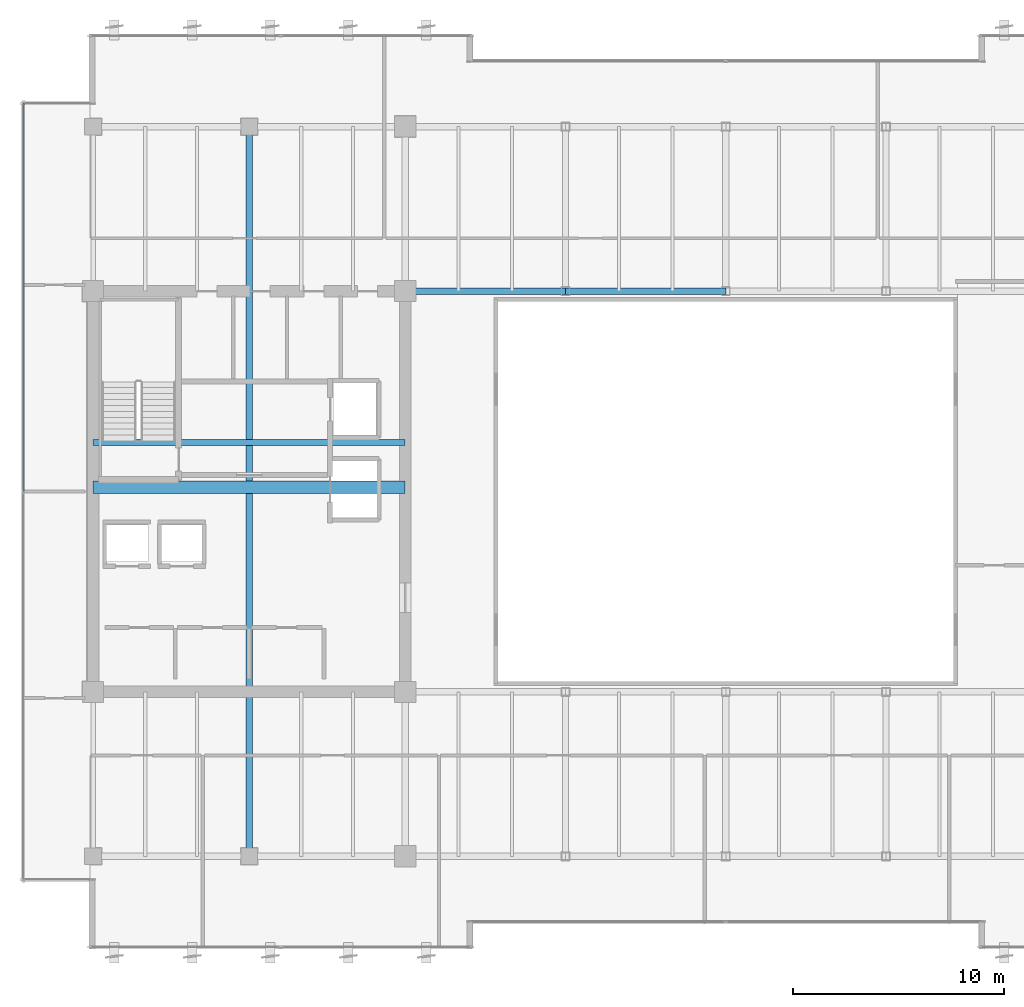
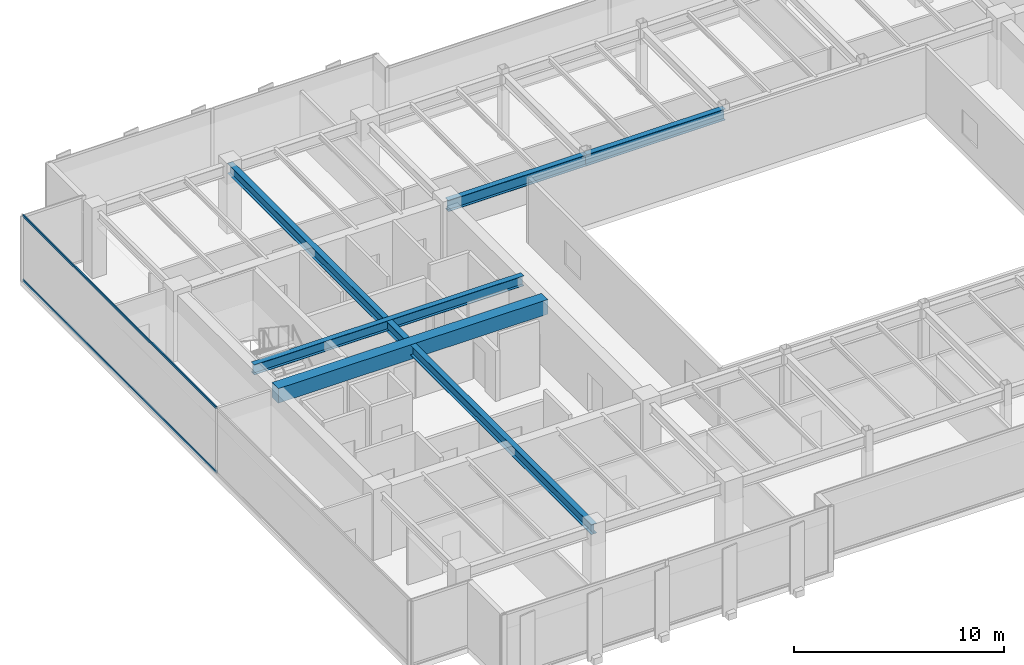
# One storey, part 10 of 36: 5 beams, 2 members, 1 element without a shape of its own.
"""IFC4 building model written with IfcOpenShell, lengths in metres."""

import ifcopenshell
import ifcopenshell.guid

model = None  # the IFC model being written
_history = None  # IfcOwnerHistory: only IFC2X3 demands one
_inside = {}  # id of a spatial element -> (the spatial element, [elements in it])
_under = {}  # id of a project, library or spatial element -> (it, [spatial elements below it])
_declared = {}  # id of a project -> (the project, [libraries it declares])
_typed = {}  # id of a type object -> (the type object, [elements of that type])
_made_of = {}  # id of a material, layer set ... -> (it, [elements and type objects made of it])


def new_model(schema):
    """Start an empty IFC model of exactly this schema.

    Asked for "IFC4X3", IfcOpenShell would pick the latest addendum, in which some entities
    have other attributes; the version numbers below select the first issue.
    IFC2X3 requires an IfcOwnerHistory on every rooted entity: one is made here for all.
    """
    global model, _history
    if schema == "IFC4X3":
        model = ifcopenshell.file(schema_version=(4, 3, 0, 0))
    else:
        model = ifcopenshell.file(schema=schema)
    _inside.clear()
    _under.clear()
    _declared.clear()
    _typed.clear()
    _made_of.clear()
    _history = None
    if model.schema == "IFC2X3":
        org = make("IfcOrganization", Name="unknown")
        user = make(
            "IfcPersonAndOrganization",
            ThePerson=make("IfcPerson", FamilyName="unknown"),
            TheOrganization=org,
        )
        app = make(
            "IfcApplication",
            ApplicationDeveloper=org,
            Version="unknown",
            ApplicationFullName="unknown",
            ApplicationIdentifier="unknown",
        )
        _history = make(
            "IfcOwnerHistory",
            OwningUser=user,
            OwningApplication=app,
            ChangeAction="ADDED",
            CreationDate=0,
        )
    return model


def make(cls, **values):
    """One entity of the class cls with the attributes given. An attribute that is None is left unset."""
    return model.create_entity(
        cls, **{name: value for name, value in values.items() if value is not None}
    )


def rooted(cls, **values):
    """An entity with a GlobalId (a new one), such as an element, a storey or a relation."""
    return make(cls, GlobalId=ifcopenshell.guid.new(), OwnerHistory=_history, **values)


def si_unit(unit_type, name, prefix=None):
    """IfcSIUnit, for example si_unit("LENGTHUNIT", "METRE", prefix="MILLI")."""
    return make("IfcSIUnit", UnitType=unit_type, Prefix=prefix, Name=name)


def assignment(units):
    """IfcUnitAssignment: the units of a project."""
    return None if units is None else make("IfcUnitAssignment", Units=units)


def point(xyz):
    """IfcCartesianPoint."""
    return None if xyz is None else make("IfcCartesianPoint", Coordinates=xyz)


def direction(xyz):
    """IfcDirection."""
    return None if xyz is None else make("IfcDirection", DirectionRatios=xyz)


def frame(location, z_axis=None, x_axis=None):
    """IfcAxis2Placement3D, a coordinate frame: its origin and axes. An axis left out is left unset."""
    return make(
        "IfcAxis2Placement3D",
        Location=point(location),
        Axis=direction(z_axis),
        RefDirection=direction(x_axis),
    )


def frame_2d(location, x_axis=None):
    """IfcAxis2Placement2D, a coordinate frame in the plane: its origin and x axis."""
    return make(
        "IfcAxis2Placement2D", Location=point(location), RefDirection=direction(x_axis)
    )


def origin():
    """The frame at (0, 0, 0) with its axes left unset."""
    return frame((0.0, 0.0, 0.0))


def origin_2d():
    """The frame at (0, 0) in the plane with its x axis left unset."""
    return frame_2d((0.0, 0.0))


def place(relative_to, where):
    """IfcLocalPlacement: puts the frame where relative to a parent placement (None: the world)."""
    return make(
        "IfcLocalPlacement", PlacementRelTo=relative_to, RelativePlacement=where
    )


def context(
    kind, dimensions, precision=None, world=None, true_north=None, identifier=None
):
    """IfcGeometricRepresentationContext, for example the 3D "Model" context."""
    return make(
        "IfcGeometricRepresentationContext",
        ContextIdentifier=identifier,
        ContextType=kind,
        CoordinateSpaceDimension=dimensions,
        Precision=precision,
        WorldCoordinateSystem=world,
        TrueNorth=true_north,
    )


def subcontext(parent, identifier, kind, view, scale=None):
    """IfcGeometricRepresentationSubContext, for example "Body" below "Model"."""
    return make(
        "IfcGeometricRepresentationSubContext",
        ContextIdentifier=identifier,
        ContextType=kind,
        ParentContext=parent,
        TargetScale=scale,
        TargetView=view,
    )


def project(units=None, contexts=None):
    """IfcProject with its units and contexts."""
    return rooted(
        "IfcProject",
        Name="project",
        RepresentationContexts=contexts,
        UnitsInContext=assignment(units),
    )


def spatial(cls, under=None, at=None, **own):
    """A site, building, storey or space (cls), placed at a placement, below another one or the project."""
    s = rooted(cls, ObjectPlacement=at, **own)
    if under is not None:
        _under.setdefault(under.id(), (under, []))[1].append(s)
    return s


def profile(cls, at=None, kind="AREA", **sizes):
    """A parametric profile (cls). Its sizes go by their IFC names, for example OverallWidth=200.0."""
    return make(cls, ProfileType=kind, Position=at, **sizes)


def rectangle(**sizes):
    """IfcRectangleProfileDef."""
    return profile("IfcRectangleProfileDef", **sizes)


def hollow_rectangle(**sizes):
    """IfcRectangleHollowProfileDef."""
    return profile("IfcRectangleHollowProfileDef", **sizes)


def i_section(**sizes):
    """IfcIShapeProfileDef."""
    return profile("IfcIShapeProfileDef", **sizes)


def extrude(swept, where, along, depth):
    """IfcExtrudedAreaSolid: the profile swept, set in the frame where, extruded along a direction by depth."""
    return make(
        "IfcExtrudedAreaSolid",
        SweptArea=swept,
        Position=where,
        ExtrudedDirection=direction(along),
        Depth=depth,
    )


def shape(context_of_items, identifier, shape_type, items):
    """IfcShapeRepresentation: the items that make up one representation, for example the "Body"."""
    return make(
        "IfcShapeRepresentation",
        ContextOfItems=context_of_items,
        RepresentationIdentifier=identifier,
        RepresentationType=shape_type,
        Items=items,
    )


def source(mapping_origin, context_of_items, identifier, shape_type, items):
    """IfcRepresentationMap: a shape defined once, which mapped items show again and again."""
    return make(
        "IfcRepresentationMap",
        MappingOrigin=mapping_origin,
        MappedRepresentation=shape(context_of_items, identifier, shape_type, items),
    )


def transform(
    local_origin,
    x_axis=None,
    y_axis=None,
    z_axis=None,
    scale=None,
    scale2=None,
    scale3=None,
    uniform=True,
):
    """IfcCartesianTransformationOperator3D, or its non-uniform kind. x_axis, y_axis, z_axis: its Axis1, 2, 3."""
    if uniform:
        return make(
            "IfcCartesianTransformationOperator3D",
            Axis1=direction(x_axis),
            Axis2=direction(y_axis),
            LocalOrigin=point(local_origin),
            Scale=scale,
            Axis3=direction(z_axis),
        )
    return make(
        "IfcCartesianTransformationOperator3DnonUniform",
        Axis1=direction(x_axis),
        Axis2=direction(y_axis),
        LocalOrigin=point(local_origin),
        Scale=scale,
        Axis3=direction(z_axis),
        Scale2=scale2,
        Scale3=scale3,
    )


def mapped(mapping_source, mapping_target):
    """IfcMappedItem: shows the shape of a source again, moved by a transform."""
    return make(
        "IfcMappedItem", MappingSource=mapping_source, MappingTarget=mapping_target
    )


def material(Name=None, Category=None):
    """IfcMaterial."""
    return make("IfcMaterial", Name=Name, Category=Category)


def layer(
    of_material, thickness, ventilated=None, Name=None, Category=None, Priority=None
):
    """IfcMaterialLayer: one layer of a wall or slab, of a material (None: an air gap)."""
    return make(
        "IfcMaterialLayer",
        Material=of_material,
        LayerThickness=thickness,
        IsVentilated=ventilated,
        Name=Name,
        Category=Category,
        Priority=Priority,
    )


def layer_set(layers, Name=None):
    """IfcMaterialLayerSet."""
    return make("IfcMaterialLayerSet", MaterialLayers=layers, LayerSetName=Name)


def material_profile(
    of_material, cross_section, Name=None, Category=None, Priority=None
):
    """IfcMaterialProfile: a cross section and its material."""
    return make(
        "IfcMaterialProfile",
        Name=Name,
        Material=of_material,
        Profile=cross_section,
        Priority=Priority,
        Category=Category,
    )


def profile_set(profiles, Name=None, composite=None):
    """IfcMaterialProfileSet."""
    return make(
        "IfcMaterialProfileSet",
        Name=Name,
        MaterialProfiles=profiles,
        CompositeProfile=composite,
    )


def made_of(thing, what):
    """Note that an element or type object is made of a material, layer set ...; save() writes the relation."""
    if what is not None:
        _made_of.setdefault(what.id(), (what, []))[1].append(thing)
    return thing


def type_object(cls, material=None, **own):
    """A type object (cls), such as IfcWallType, which elements share."""
    return made_of(rooted(cls, **own), material)


def type_shapes(of_type, sources):
    """Give a type object the sources (RepresentationMaps) that its elements show as mapped items."""
    of_type.RepresentationMaps = sources


def element(
    cls,
    number,
    at=None,
    inside=None,
    cuts=None,
    type_object=None,
    material=None,
    context=None,
    identifier="Body",
    shape_type=None,
    held_by="IfcProductDefinitionShape",
    body=None,
    shapes=None,
    **own,
):
    """One element of the class cls, such as IfcWall. Its Tag is "e" and its number.

    at: its placement. inside: the storey or other place that contains it. cuts: it is an
    opening in that element (IfcRelVoidsElement). A single representation is given by context,
    identifier, shape_type and body (its items); several are given by shapes. held_by: the class
    of the entity that holds the representations. save() writes the other relations.
    """
    e = rooted(cls, Tag="e%d" % number, ObjectPlacement=at, **own)
    if body is not None:
        shapes = [shape(context, identifier, shape_type, body)]
    if shapes is not None:
        e.Representation = make(held_by, Representations=shapes)
    if inside is not None:
        _inside.setdefault(inside.id(), (inside, []))[1].append(e)
    if cuts is not None:
        rooted(
            "IfcRelVoidsElement", RelatingBuildingElement=cuts, RelatedOpeningElement=e
        )
    if type_object is not None:
        _typed.setdefault(type_object.id(), (type_object, []))[1].append(e)
    return made_of(e, material)


def aggregate(whole, parts):
    """IfcRelAggregates: a whole, such as a stair, and the parts it consists of."""
    return rooted("IfcRelAggregates", RelatingObject=whole, RelatedObjects=parts)


def save(model, path):
    """Write the relations noted so far, then the file.

    IfcRelAggregates (storeys below a building ...), IfcRelContainedInSpatialStructure (elements
    in a storey), IfcRelDefinesByType, IfcRelAssociatesMaterial and IfcRelDeclares: one each for
    every whole, place, type object, material and project.
    """
    for whole, parts in _under.values():
        aggregate(whole, parts)
    for where, things in _inside.values():
        rooted(
            "IfcRelContainedInSpatialStructure",
            RelatedElements=things,
            RelatingStructure=where,
        )
    for kind, things in _typed.values():
        rooted("IfcRelDefinesByType", RelatedObjects=things, RelatingType=kind)
    for what, things in _made_of.values():
        rooted("IfcRelAssociatesMaterial", RelatedObjects=things, RelatingMaterial=what)
    for by, libraries in _declared.values():
        rooted("IfcRelDeclares", RelatingContext=by, RelatedDefinitions=libraries)
    model.write(path)


model = new_model("IFC4")

# Units and contexts
model_context = context("Model", 3, precision=1e-05, world=origin(), true_north=direction((0.0, 1.0)))
body_context = subcontext(model_context, "Body", "Model", "MODEL_VIEW")
ifc_project = project(units=[si_unit("LENGTHUNIT", "METRE"), si_unit("AREAUNIT", "SQUARE_METRE"), si_unit("VOLUMEUNIT", "CUBIC_METRE"), si_unit("PLANEANGLEUNIT", "RADIAN"), si_unit("MASSUNIT", "GRAM", prefix="KILO")], contexts=[model_context])

# Site, building, storey
site_placement = place(None, origin())
site = spatial("IfcSite", under=ifc_project, at=site_placement, CompositionType="ELEMENT")
building_placement = place(site_placement, origin())
building = spatial("IfcBuilding", under=site, at=building_placement, Name="Haelvirn Gate Laboratories", CompositionType="ELEMENT")
storey_placement = place(building_placement, frame((0.0, 0.0, 242.39990234375)))
storey = spatial("IfcBuildingStorey", under=building, at=storey_placement, Name="L58", CompositionType="ELEMENT", Elevation=242.39990234375)

# Beams
ifc_material_1 = material(Name="Steel SM355", Category="steel")
ifc_material_profile_1 = material_profile(ifc_material_1, i_section(OverallWidth=0.300048828125, OverallDepth=0.587890625, WebThickness=0.011962890625, FlangeThickness=0.02001953125, at=origin_2d()), Name="H-588x300x12x20")
ifc_profile_set_1 = profile_set([ifc_material_profile_1], Name="Steel SM355")
beam_type_1 = type_object("IfcBeamType", Name="BM-G-588", PredefinedType="BEAM", material=ifc_profile_set_1)
shared_shape_1 = source(origin(), body_context, "Body", "SweptSolid", [
    extrude(i_section(OverallWidth=0.300048828125, OverallDepth=0.587890625, WebThickness=0.011962890625, FlangeThickness=0.02001953125, at=origin_2d()), origin(), (0.0, 0.0, 1.0), 14.800048828125),
])
beam_1_placement = place(storey_placement, frame((7.39990234375, 26.6201171875, 3.506103515625), z_axis=(1.0, 0.0, 0.0), x_axis=(0.0, 1.0, 0.0)))
element("IfcBeam", 1, at=beam_1_placement, inside=storey, type_object=beam_type_1, Name="L58 Stair ST1 Landing Header", PredefinedType="BEAM", context=body_context, shape_type="MappedRepresentation", body=[
    mapped(shared_shape_1, transform((0.0, 0.0, 0.0), scale=1.0)),
])
shared_shape_2 = source(origin(), body_context, "Body", "SweptSolid", [
    extrude(i_section(OverallWidth=0.300048828125, OverallDepth=0.587890625, WebThickness=0.011962890625, FlangeThickness=0.02001953125, at=origin_2d()), origin(), (0.0, 0.0, 1.0), 34.60009765625),
])
type_shapes(beam_type_1, [shared_shape_1, shared_shape_2])
beam_2_placement = place(storey_placement, frame((14.800048828125, 7.0, 3.506103515625), z_axis=(0.0, 1.0, 0.0), x_axis=(-1.0, 0.0, 0.0)))
element("IfcBeam", 2, at=beam_2_placement, inside=storey, type_object=beam_type_1, Name="L58 Frame Girder X14.8 (7.0-41.6)", PredefinedType="BEAM", context=body_context, shape_type="MappedRepresentation", body=[
    mapped(shared_shape_2, transform((0.0, 0.0, 0.0), scale=1.0)),
])
ifc_material_2 = material(Name="Concrete C50/60", Category="concrete")
ifc_material_profile_2 = material_profile(ifc_material_2, rectangle(XDim=0.60009765625, YDim=0.85009765625, at=origin_2d()), Name="RCB-600x850")
ifc_profile_set_2 = profile_set([ifc_material_profile_2], Name="Concrete C50/60")
beam_type_2 = type_object("IfcBeamType", Name="BM-RCB-850", PredefinedType="LINTEL", material=ifc_profile_set_2)
shared_shape_3 = source(origin(), body_context, "Body", "SweptSolid", [
    extrude(rectangle(XDim=0.60009765625, YDim=0.85009765625, at=origin_2d()), origin(), (0.0, 0.0, 1.0), 14.800048828125),
])
type_shapes(beam_type_2, [shared_shape_3])
beam_3_placement = place(storey_placement, frame((7.39990234375, 24.5, 3.375), z_axis=(1.0, 0.0, 0.0), x_axis=(0.0, 1.0, 0.0)))
element("IfcBeam", 3, at=beam_3_placement, inside=storey, type_object=beam_type_2, Name="L58 West Core Coupling Beam", PredefinedType="LINTEL", context=body_context, shape_type="MappedRepresentation", body=[
    mapped(shared_shape_3, transform((0.0, 0.0, 0.0), scale=1.0)),
])
ifc_material_profile_3 = material_profile(ifc_material_1, i_section(OverallWidth=0.300048828125, OverallDepth=0.64990234375, WebThickness=0.012939453125, FlangeThickness=0.02197265625, at=origin_2d()), Name="H-650x300x13x22")
ifc_profile_set_3 = profile_set([ifc_material_profile_3], Name="Steel SM355")
beam_type_3 = type_object("IfcBeamType", Name="BM-G-650", PredefinedType="BEAM", material=ifc_profile_set_3)
shared_shape_4 = source(origin(), body_context, "Body", "SweptSolid", [
    extrude(i_section(OverallWidth=0.300048828125, OverallDepth=0.64990234375, WebThickness=0.012939453125, FlangeThickness=0.02197265625, at=origin_2d()), origin(), (0.0, 0.0, 1.0), 7.60009765625),
])
beam_4_placement = place(storey_placement, frame((22.199951171875, 33.800048828125, 3.47509765625), z_axis=(1.0, 0.0, 0.0), x_axis=(0.0, 1.0, 0.0)))
element("IfcBeam", 4, at=beam_4_placement, inside=storey, type_object=beam_type_3, Name="L58 Primary Girder Y33.8 (22.2-29.8)", PredefinedType="BEAM", context=body_context, shape_type="MappedRepresentation", body=[
    mapped(shared_shape_4, transform((0.0, 0.0, 0.0), scale=1.0)),
])
shared_shape_5 = source(origin(), body_context, "Body", "SweptSolid", [
    extrude(i_section(OverallWidth=0.300048828125, OverallDepth=0.64990234375, WebThickness=0.012939453125, FlangeThickness=0.02197265625, at=origin_2d()), origin(), (0.0, 0.0, 1.0), 7.599853515625),
])
type_shapes(beam_type_3, [shared_shape_4, shared_shape_5])
beam_5_placement = place(storey_placement, frame((29.800048828125, 33.800048828125, 3.47509765625), z_axis=(1.0, 0.0, 0.0), x_axis=(0.0, 1.0, 0.0)))
element("IfcBeam", 5, at=beam_5_placement, inside=storey, type_object=beam_type_3, Name="L58 Primary Girder Y33.8 (29.8-37.4)", PredefinedType="BEAM", context=body_context, shape_type="MappedRepresentation", body=[
    mapped(shared_shape_5, transform((0.0, 0.0, 0.0), scale=1.0)),
])

# Curtain wall, members
ifc_material_3 = material(Name="Anodised bronze unitised aluminium & triple low-E glass", Category="aluminium")
ifc_layer = layer(ifc_material_3, 0.176025390625, Name="CW-SYS-4")
ifc_layer_set = layer_set([ifc_layer], Name="Anodised bronze unitised aluminium & triple low-E glass")
curtain_wall_type = type_object("IfcCurtainWallType", Name="CW-SYS-4", PredefinedType="NOTDEFINED", material=ifc_layer_set)
curtain_wall_placement = place(storey_placement, origin())
curtain_wall = element("IfcCurtainWall", 6, at=curtain_wall_placement, inside=storey, type_object=curtain_wall_type, Name="L58 Unitised Curtain Wall CW-L58-P0-E17", PredefinedType="NOTDEFINED")
ifc_material_4 = material(Name="Extruded aluminium 6063-T6 (anodised bronze)", Category="aluminium")
ifc_material_profile_4 = material_profile(ifc_material_4, hollow_rectangle(XDim=0.06494140625, YDim=0.139892578125, WallThickness=0.00390625, at=origin_2d()), Name="CWT-140x65x4")
ifc_profile_set_4 = profile_set([ifc_material_profile_4], Name="Extruded aluminium 6063-T6 (anodised bronze)")
member_type = type_object("IfcMemberType", Name="CWT-T140", PredefinedType="USERDEFINED", material=ifc_profile_set_4)
shared_shape_6 = source(origin(), body_context, "Body", "SweptSolid", [
    extrude(hollow_rectangle(XDim=0.06494140625, YDim=0.139892578125, WallThickness=0.00390625, at=origin_2d()), origin(), (0.0, 0.0, 1.0), 18.39501953125),
])
type_shapes(member_type, [shared_shape_6])
member_1_placement = place(storey_placement, frame((4.10009765625, 42.72998046875, 0.03271484375), z_axis=(0.0, -1.0, 0.0), x_axis=(1.0, 0.0, 0.0)))
member_1 = element("IfcMember", 7, at=member_1_placement, type_object=member_type, Name="CW4 transom 1.1", ObjectType="TRANSOM", PredefinedType="USERDEFINED", context=body_context, shape_type="MappedRepresentation", body=[
    mapped(shared_shape_6, transform((0.0, 0.0, 0.0), scale=1.0)),
])
member_2_placement = place(storey_placement, frame((4.10009765625, 42.72998046875, 3.767578125), z_axis=(0.0, -1.0, 0.0), x_axis=(1.0, 0.0, 0.0)))
member_2 = element("IfcMember", 8, at=member_2_placement, type_object=member_type, Name="CW4 transom 1.2", ObjectType="TRANSOM", PredefinedType="USERDEFINED", context=body_context, shape_type="MappedRepresentation", body=[
    mapped(shared_shape_6, transform((0.0, 0.0, 0.0), scale=1.0)),
])
aggregate(curtain_wall, [member_1, member_2])

save(model, "model.ifc")
